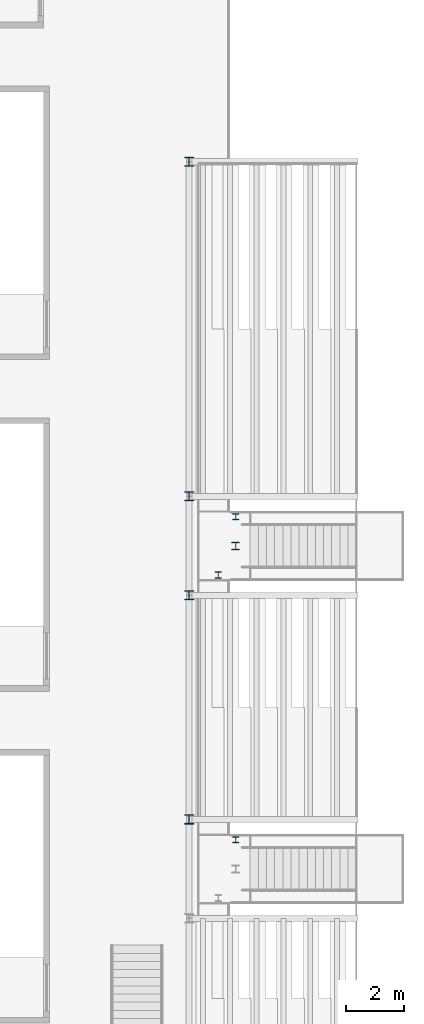
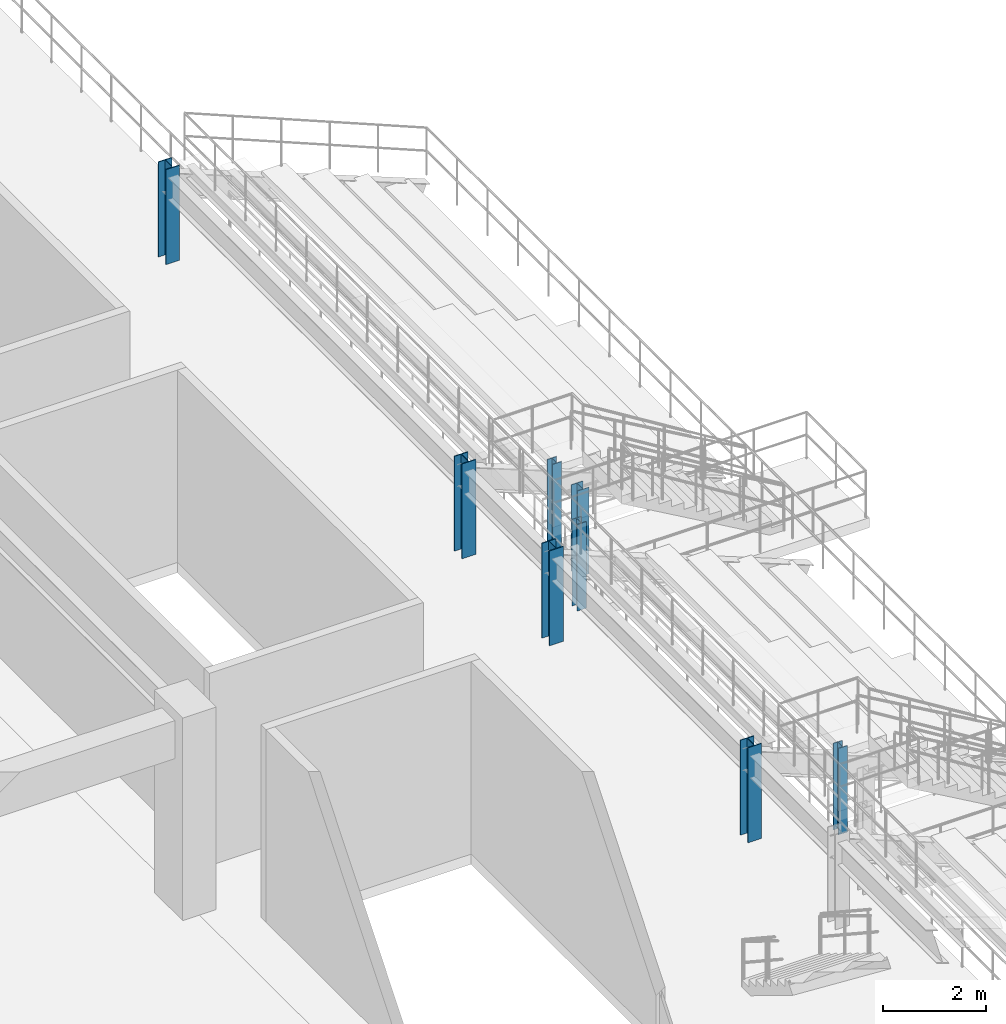
# One storey, part 14 of 106: 8 columns.
"""IFC4 building model written with IfcOpenShell, lengths in metres."""

from ifc_helpers import new_model, si_unit, direction, frame, origin, origin_2d, place, context, subcontext, project, spatial, i_section, extrude, material, material_profile, profile_set, type_object, element, save


model = new_model("IFC4")

# Units and contexts
model_context = context("Model", 3, precision=1e-05, world=origin(), true_north=direction((0.0, 1.0)))
body_context = subcontext(model_context, "Body", "Model", "MODEL_VIEW")
ifc_project = project(units=[si_unit("LENGTHUNIT", "METRE"), si_unit("AREAUNIT", "SQUARE_METRE"), si_unit("VOLUMEUNIT", "CUBIC_METRE"), si_unit("PLANEANGLEUNIT", "RADIAN"), si_unit("MASSUNIT", "GRAM", prefix="KILO"), si_unit("POWERUNIT", "WATT"), si_unit("THERMODYNAMICTEMPERATUREUNIT", "KELVIN")], contexts=[model_context])

# Site, building, storey
site_placement = place(None, origin())
site = spatial("IfcSite", under=ifc_project, at=site_placement, CompositionType="ELEMENT")
building_placement = place(site_placement, origin())
building = spatial("IfcBuilding", under=site, at=building_placement, Name="Kelmbourne Parkland Aquatics Centre", CompositionType="ELEMENT")
storey_placement = place(building_placement, frame((0.0, 0.0, 5.39990234375)))
storey = spatial("IfcBuildingStorey", under=building, at=storey_placement, Name="L01", CompositionType="ELEMENT", Elevation=5.39990234375)

# Columns
ifc_material = material(Name="Structural steel AS/NZS 3679.1 Grade 300", Category="steel")
ifc_material_profile_1 = material_profile(ifc_material, i_section(OverallWidth=0.306884765625, OverallDepth=0.31494140625, WebThickness=0.011962890625, FlangeThickness=0.018798828125, at=origin_2d()), Name="310UC118")
ifc_profile_set_1 = profile_set([ifc_material_profile_1], Name="Structural steel AS/NZS 3679.1 Grade 300")
column_type_1 = type_object("IfcColumnType", Name="COL-C16", PredefinedType="COLUMN", material=ifc_profile_set_1)
for number, where, z_axis, x_axis, name in (
    (1, (138.60009765625, 65.60009765625, 0.0), (0.0, 0.0, 1.0), (1.0, 0.0, 0.0), "Bowl RER L01 raker pier 7"),
    (2, (138.60009765625, 73.300048828125, 0.0), (0.0, 0.0, 1.0), (1.0, 0.0, 0.0), "Bowl RER L01 raker pier 8"),
    (3, (138.60009765625, 76.699951171875, 0.0), (0.0, 0.0, 1.0), (1.0, 0.0, 0.0), "Bowl RER L01 raker pier 9"),
    (4, (138.60009765625, 88.199951171875, 0.0), (0.0, 0.0, 1.0), (1.0, 0.0, 0.0), "Bowl RER L01 raker pier 10"),
):
    element("IfcColumn", number, at=place(storey_placement, frame(where, z_axis=z_axis, x_axis=x_axis)), inside=storey, type_object=column_type_1, Name=name, PredefinedType="COLUMN", context=body_context, shape_type="SweptSolid", body=[
        extrude(i_section(OverallWidth=0.306884765625, OverallDepth=0.31494140625, WebThickness=0.011962890625, FlangeThickness=0.018798828125, at=origin_2d()), origin(), (0.0, 0.0, 1.0), 2.25),
    ])
ifc_material_profile_2 = material_profile(ifc_material, i_section(OverallWidth=0.25390625, OverallDepth=0.25390625, WebThickness=0.008544921875, FlangeThickness=0.01416015625, at=origin_2d()), Name="250UC72.9")
ifc_profile_set_2 = profile_set([ifc_material_profile_2], Name="Structural steel AS/NZS 3679.1 Grade 300")
column_type_2 = type_object("IfcColumnType", Name="COL-C18", PredefinedType="COLUMN", material=ifc_profile_set_2)
column_placement = place(storey_placement, frame((140.199951171875, 75.0, 0.0), z_axis=(0.0, 0.0, 1.0), x_axis=(1.0, 0.0, 0.0)))
element("IfcColumn", 5, at=column_placement, inside=storey, type_object=column_type_2, Name="VM04 TOP1 L01 pier", PredefinedType="COLUMN", context=body_context, shape_type="SweptSolid", body=[
    extrude(i_section(OverallWidth=0.25390625, OverallDepth=0.25390625, WebThickness=0.008544921875, FlangeThickness=0.01416015625, at=origin_2d()), origin(), (0.0, 0.0, 1.0), 2.050048828125),
])
ifc_material_profile_3 = material_profile(ifc_material, i_section(OverallWidth=0.205078125, OverallDepth=0.2099609375, WebThickness=0.00927734375, FlangeThickness=0.01416015625, at=origin_2d()), Name="200UC59.5")
ifc_profile_set_3 = profile_set([ifc_material_profile_3], Name="Structural steel AS/NZS 3679.1 Grade 300")
column_type_3 = type_object("IfcColumnType", Name="COL-C19", PredefinedType="COLUMN", material=ifc_profile_set_3)
for number, where, z_axis, x_axis, name in (
    (6, (140.199951171875, 64.89990234375, 0.0), (0.0, 0.0, 1.0), (1.0, 0.0, 0.0), "VM03 TOP2 L01 pier"),
    (7, (140.199951171875, 76.0, 0.0), (0.0, 0.0, 1.0), (1.0, 0.0, 0.0), "VM04 TOP2 L01 pier"),
    (8, (139.60009765625, 74.0, 0.0), (0.0, 0.0, 1.0), (1.0, 0.0, 0.0), "VM04 TOP3 L01 pier"),
):
    element("IfcColumn", number, at=place(storey_placement, frame(where, z_axis=z_axis, x_axis=x_axis)), inside=storey, type_object=column_type_3, Name=name, PredefinedType="COLUMN", context=body_context, shape_type="SweptSolid", body=[
        extrude(i_section(OverallWidth=0.205078125, OverallDepth=0.2099609375, WebThickness=0.00927734375, FlangeThickness=0.01416015625, at=origin_2d()), origin(), (0.0, 0.0, 1.0), 2.050048828125),
    ])

save(model, "model.ifc")
